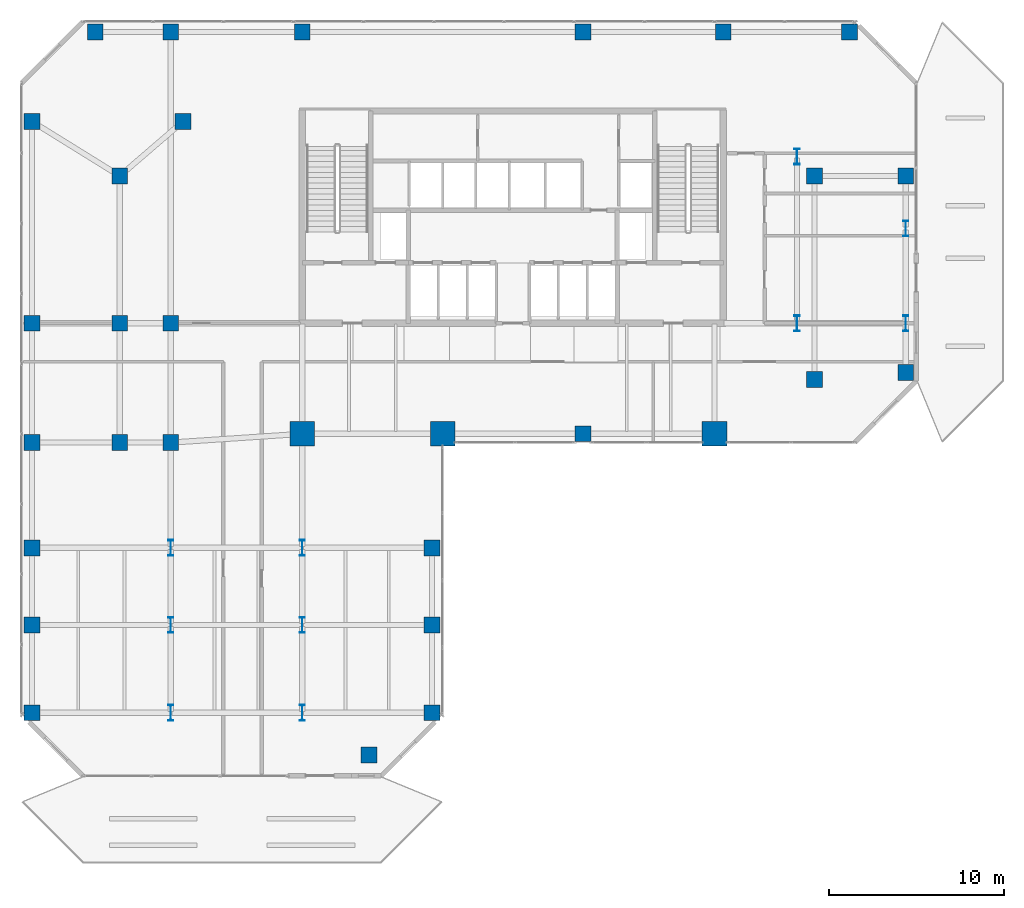
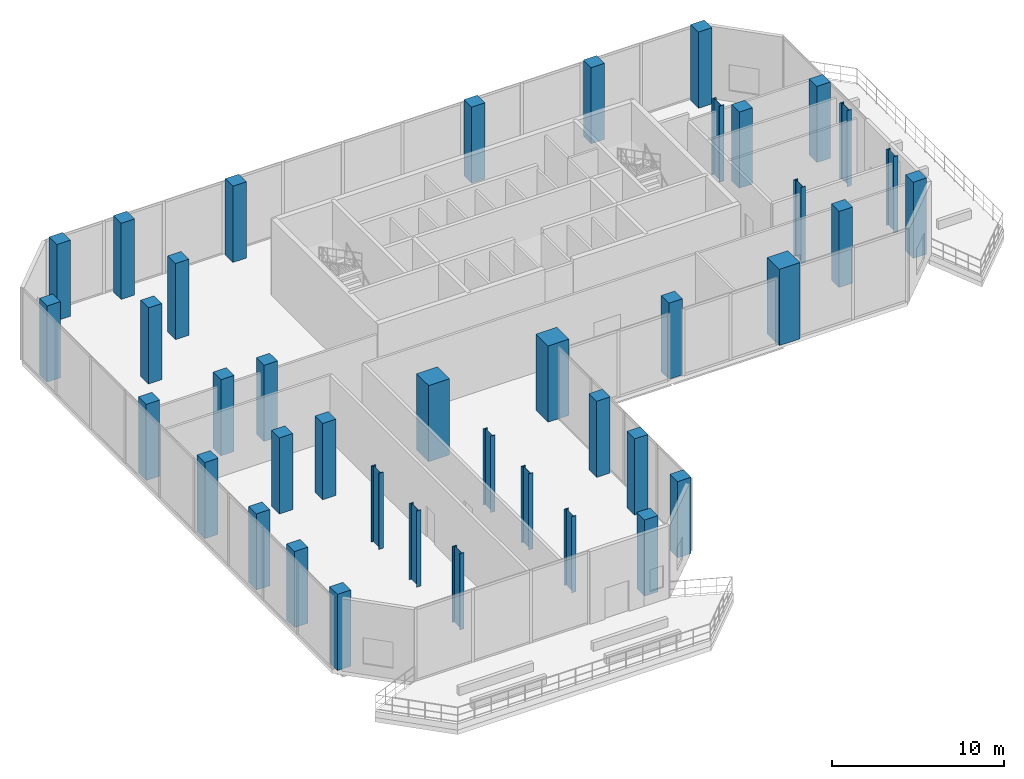
# One storey, part 1 of 24: 40 columns.
"""IFC4 building model written with IfcOpenShell, lengths in metres."""

import ifcopenshell
import ifcopenshell.guid

model = None  # the IFC model being written
_history = None  # IfcOwnerHistory: only IFC2X3 demands one
_inside = {}  # id of a spatial element -> (the spatial element, [elements in it])
_under = {}  # id of a project, library or spatial element -> (it, [spatial elements below it])
_declared = {}  # id of a project -> (the project, [libraries it declares])
_typed = {}  # id of a type object -> (the type object, [elements of that type])
_made_of = {}  # id of a material, layer set ... -> (it, [elements and type objects made of it])


def new_model(schema):
    """Start an empty IFC model of exactly this schema.

    Asked for "IFC4X3", IfcOpenShell would pick the latest addendum, in which some entities
    have other attributes; the version numbers below select the first issue.
    IFC2X3 requires an IfcOwnerHistory on every rooted entity: one is made here for all.
    """
    global model, _history
    if schema == "IFC4X3":
        model = ifcopenshell.file(schema_version=(4, 3, 0, 0))
    else:
        model = ifcopenshell.file(schema=schema)
    _inside.clear()
    _under.clear()
    _declared.clear()
    _typed.clear()
    _made_of.clear()
    _history = None
    if model.schema == "IFC2X3":
        org = make("IfcOrganization", Name="unknown")
        user = make(
            "IfcPersonAndOrganization",
            ThePerson=make("IfcPerson", FamilyName="unknown"),
            TheOrganization=org,
        )
        app = make(
            "IfcApplication",
            ApplicationDeveloper=org,
            Version="unknown",
            ApplicationFullName="unknown",
            ApplicationIdentifier="unknown",
        )
        _history = make(
            "IfcOwnerHistory",
            OwningUser=user,
            OwningApplication=app,
            ChangeAction="ADDED",
            CreationDate=0,
        )
    return model


def make(cls, **values):
    """One entity of the class cls with the attributes given. An attribute that is None is left unset."""
    return model.create_entity(
        cls, **{name: value for name, value in values.items() if value is not None}
    )


def rooted(cls, **values):
    """An entity with a GlobalId (a new one), such as an element, a storey or a relation."""
    return make(cls, GlobalId=ifcopenshell.guid.new(), OwnerHistory=_history, **values)


def si_unit(unit_type, name, prefix=None):
    """IfcSIUnit, for example si_unit("LENGTHUNIT", "METRE", prefix="MILLI")."""
    return make("IfcSIUnit", UnitType=unit_type, Prefix=prefix, Name=name)


def assignment(units):
    """IfcUnitAssignment: the units of a project."""
    return None if units is None else make("IfcUnitAssignment", Units=units)


def point(xyz):
    """IfcCartesianPoint."""
    return None if xyz is None else make("IfcCartesianPoint", Coordinates=xyz)


def direction(xyz):
    """IfcDirection."""
    return None if xyz is None else make("IfcDirection", DirectionRatios=xyz)


def frame(location, z_axis=None, x_axis=None):
    """IfcAxis2Placement3D, a coordinate frame: its origin and axes. An axis left out is left unset."""
    return make(
        "IfcAxis2Placement3D",
        Location=point(location),
        Axis=direction(z_axis),
        RefDirection=direction(x_axis),
    )


def frame_2d(location, x_axis=None):
    """IfcAxis2Placement2D, a coordinate frame in the plane: its origin and x axis."""
    return make(
        "IfcAxis2Placement2D", Location=point(location), RefDirection=direction(x_axis)
    )


def origin():
    """The frame at (0, 0, 0) with its axes left unset."""
    return frame((0.0, 0.0, 0.0))


def origin_2d():
    """The frame at (0, 0) in the plane with its x axis left unset."""
    return frame_2d((0.0, 0.0))


def place(relative_to, where):
    """IfcLocalPlacement: puts the frame where relative to a parent placement (None: the world)."""
    return make(
        "IfcLocalPlacement", PlacementRelTo=relative_to, RelativePlacement=where
    )


def context(
    kind, dimensions, precision=None, world=None, true_north=None, identifier=None
):
    """IfcGeometricRepresentationContext, for example the 3D "Model" context."""
    return make(
        "IfcGeometricRepresentationContext",
        ContextIdentifier=identifier,
        ContextType=kind,
        CoordinateSpaceDimension=dimensions,
        Precision=precision,
        WorldCoordinateSystem=world,
        TrueNorth=true_north,
    )


def subcontext(parent, identifier, kind, view, scale=None):
    """IfcGeometricRepresentationSubContext, for example "Body" below "Model"."""
    return make(
        "IfcGeometricRepresentationSubContext",
        ContextIdentifier=identifier,
        ContextType=kind,
        ParentContext=parent,
        TargetScale=scale,
        TargetView=view,
    )


def project(units=None, contexts=None):
    """IfcProject with its units and contexts."""
    return rooted(
        "IfcProject",
        Name="project",
        RepresentationContexts=contexts,
        UnitsInContext=assignment(units),
    )


def spatial(cls, under=None, at=None, **own):
    """A site, building, storey or space (cls), placed at a placement, below another one or the project."""
    s = rooted(cls, ObjectPlacement=at, **own)
    if under is not None:
        _under.setdefault(under.id(), (under, []))[1].append(s)
    return s


def profile(cls, at=None, kind="AREA", **sizes):
    """A parametric profile (cls). Its sizes go by their IFC names, for example OverallWidth=200.0."""
    return make(cls, ProfileType=kind, Position=at, **sizes)


def rectangle(**sizes):
    """IfcRectangleProfileDef."""
    return profile("IfcRectangleProfileDef", **sizes)


def i_section(**sizes):
    """IfcIShapeProfileDef."""
    return profile("IfcIShapeProfileDef", **sizes)


def extrude(swept, where, along, depth):
    """IfcExtrudedAreaSolid: the profile swept, set in the frame where, extruded along a direction by depth."""
    return make(
        "IfcExtrudedAreaSolid",
        SweptArea=swept,
        Position=where,
        ExtrudedDirection=direction(along),
        Depth=depth,
    )


def shape(context_of_items, identifier, shape_type, items):
    """IfcShapeRepresentation: the items that make up one representation, for example the "Body"."""
    return make(
        "IfcShapeRepresentation",
        ContextOfItems=context_of_items,
        RepresentationIdentifier=identifier,
        RepresentationType=shape_type,
        Items=items,
    )


def material(Name=None, Category=None):
    """IfcMaterial."""
    return make("IfcMaterial", Name=Name, Category=Category)


def material_profile(
    of_material, cross_section, Name=None, Category=None, Priority=None
):
    """IfcMaterialProfile: a cross section and its material."""
    return make(
        "IfcMaterialProfile",
        Name=Name,
        Material=of_material,
        Profile=cross_section,
        Priority=Priority,
        Category=Category,
    )


def profile_set(profiles, Name=None, composite=None):
    """IfcMaterialProfileSet."""
    return make(
        "IfcMaterialProfileSet",
        Name=Name,
        MaterialProfiles=profiles,
        CompositeProfile=composite,
    )


def made_of(thing, what):
    """Note that an element or type object is made of a material, layer set ...; save() writes the relation."""
    if what is not None:
        _made_of.setdefault(what.id(), (what, []))[1].append(thing)
    return thing


def type_object(cls, material=None, **own):
    """A type object (cls), such as IfcWallType, which elements share."""
    return made_of(rooted(cls, **own), material)


def element(
    cls,
    number,
    at=None,
    inside=None,
    cuts=None,
    type_object=None,
    material=None,
    context=None,
    identifier="Body",
    shape_type=None,
    held_by="IfcProductDefinitionShape",
    body=None,
    shapes=None,
    **own,
):
    """One element of the class cls, such as IfcWall. Its Tag is "e" and its number.

    at: its placement. inside: the storey or other place that contains it. cuts: it is an
    opening in that element (IfcRelVoidsElement). A single representation is given by context,
    identifier, shape_type and body (its items); several are given by shapes. held_by: the class
    of the entity that holds the representations. save() writes the other relations.
    """
    e = rooted(cls, Tag="e%d" % number, ObjectPlacement=at, **own)
    if body is not None:
        shapes = [shape(context, identifier, shape_type, body)]
    if shapes is not None:
        e.Representation = make(held_by, Representations=shapes)
    if inside is not None:
        _inside.setdefault(inside.id(), (inside, []))[1].append(e)
    if cuts is not None:
        rooted(
            "IfcRelVoidsElement", RelatingBuildingElement=cuts, RelatedOpeningElement=e
        )
    if type_object is not None:
        _typed.setdefault(type_object.id(), (type_object, []))[1].append(e)
    return made_of(e, material)


def aggregate(whole, parts):
    """IfcRelAggregates: a whole, such as a stair, and the parts it consists of."""
    return rooted("IfcRelAggregates", RelatingObject=whole, RelatedObjects=parts)


def save(model, path):
    """Write the relations noted so far, then the file.

    IfcRelAggregates (storeys below a building ...), IfcRelContainedInSpatialStructure (elements
    in a storey), IfcRelDefinesByType, IfcRelAssociatesMaterial and IfcRelDeclares: one each for
    every whole, place, type object, material and project.
    """
    for whole, parts in _under.values():
        aggregate(whole, parts)
    for where, things in _inside.values():
        rooted(
            "IfcRelContainedInSpatialStructure",
            RelatedElements=things,
            RelatingStructure=where,
        )
    for kind, things in _typed.values():
        rooted("IfcRelDefinesByType", RelatedObjects=things, RelatingType=kind)
    for what, things in _made_of.values():
        rooted("IfcRelAssociatesMaterial", RelatedObjects=things, RelatingMaterial=what)
    for by, libraries in _declared.values():
        rooted("IfcRelDeclares", RelatingContext=by, RelatedDefinitions=libraries)
    model.write(path)


model = new_model("IFC4")

# Units and contexts
model_context = context("Model", 3, precision=1e-05, world=origin(), true_north=direction((0.0, 1.0)))
body_context = subcontext(model_context, "Body", "Model", "MODEL_VIEW")
ifc_project = project(units=[si_unit("LENGTHUNIT", "METRE"), si_unit("AREAUNIT", "SQUARE_METRE"), si_unit("VOLUMEUNIT", "CUBIC_METRE"), si_unit("PLANEANGLEUNIT", "RADIAN"), si_unit("MASSUNIT", "GRAM", prefix="KILO")], contexts=[model_context])

# Site, building, storey
site_placement = place(None, origin())
site = spatial("IfcSite", under=ifc_project, at=site_placement, CompositionType="ELEMENT")
building_placement = place(site_placement, origin())
building = spatial("IfcBuilding", under=site, at=building_placement, Name="Catumbela Crestline Tower", CompositionType="ELEMENT")
storey_placement = place(building_placement, frame((0.0, 0.0, 84.6)))
storey = spatial("IfcBuildingStorey", under=building, at=storey_placement, Name="L21", CompositionType="ELEMENT", Elevation=84.6)

# Columns
ifc_material_1 = material(Name="Concrete C60/75", Category="concrete")
ifc_material_profile_1 = material_profile(ifc_material_1, rectangle(XDim=1.4, YDim=1.4, at=origin_2d()), Name="RC 1400x1400")
ifc_profile_set_1 = profile_set([ifc_material_profile_1], Name="Concrete C60/75")
column_type_1 = type_object("IfcColumnType", Name="C-RC1400-C60", PredefinedType="COLUMN", material=ifc_profile_set_1)
for number, where, z_axis, x_axis, name in (
    (1, (16.0, 24.5, 0.0), (0.0, 0.0, 1.0), (1.0, 0.0, 0.0), "L21 Column C-16-24 (RC 1400x1400)"),
    (2, (24.0, 24.5, 0.0), (0.0, 0.0, 1.0), (1.0, 0.0, 0.0), "L21 Column C-24-24 (RC 1400x1400)"),
    (3, (39.5, 24.5, 0.0), (0.0, 0.0, 1.0), (1.0, 0.0, 0.0), "L21 Column C-40-24 (RC 1400x1400)"),
):
    element("IfcColumn", number, at=place(storey_placement, frame(where, z_axis=z_axis, x_axis=x_axis)), inside=storey, type_object=column_type_1, Name=name, PredefinedType="COLUMN", context=body_context, shape_type="SweptSolid", body=[
        extrude(rectangle(XDim=1.4, YDim=1.4, at=origin_2d()), origin(), (0.0, 0.0, 1.0), 5.4),
    ])
ifc_material_2 = material(Name="Concrete C50/60", Category="concrete")
ifc_material_profile_2 = material_profile(ifc_material_2, rectangle(XDim=0.9, YDim=0.9, at=origin_2d()), Name="RC 900x900")
ifc_profile_set_2 = profile_set([ifc_material_profile_2], Name="Concrete C50/60")
column_type_2 = type_object("IfcColumnType", Name="C-RC900-C50", PredefinedType="COLUMN", material=ifc_profile_set_2)
for number, where, z_axis, x_axis, name in (
    (4, (8.5, 24.0, 0.0), (0.0, 0.0, 1.0), (1.0, 0.0, 0.0), "L21 Column C-08-24 (RC 900x900)"),
    (5, (32.0, 24.5, 0.0), (0.0, 0.0, 1.0), (1.0, 0.0, 0.0), "L21 Column C-32-24 (RC 900x900)"),
    (6, (5.6, 24.0, 0.0), (0.0, 0.0, 1.0), (1.0, 0.0, 0.0), "L21 Column C-05-24 (RC 900x900)"),
    (7, (5.6, 30.8, 0.0), (0.0, 0.0, 1.0), (1.0, 0.0, 0.0), "L21 Column C-05-31 (RC 900x900)"),
    (8, (5.6, 39.2, 0.0), (0.0, 0.0, 1.0), (1.0, 0.0, 0.0), "L21 Column C-05-43 (RC 900x900)"),
    (9, (8.5, 30.8, 0.0), (0.0, 0.0, 1.0), (1.0, 0.0, 0.0), "L21 Column C-08-31 (RC 900x900)"),
    (10, (9.2, 42.3, 0.0), (0.0, 0.0, 1.0), (1.0, 0.0, 0.0), "L21 Column C-08-43 (RC 900x900)"),
    (11, (45.2, 27.6, 0.0), (0.0, 0.0, 1.0), (1.0, 0.0, 0.0), "L21 Column C-46-24 (RC 900x900)"),
    (12, (45.2, 39.2, 0.0), (0.0, 0.0, 1.0), (1.0, 0.0, 0.0), "L21 Column C-46-43 (RC 900x900)"),
    (13, (0.6, 24.0, 0.0), (0.0, 0.0, 1.0), (1.0, 0.0, 0.0), "L21 Column C-00-24 (RC 900x900)"),
    (14, (0.6, 30.8, 0.0), (0.0, 0.0, 1.0), (1.0, 0.0, 0.0), "L21 Column C-00-31 (RC 900x900)"),
    (15, (0.6, 42.3, 0.0), (0.0, 0.0, 1.0), (1.0, 0.0, 0.0), "L21 Column C-00-43 (RC 900x900)"),
    (16, (4.2, 47.4, 0.0), (0.0, 0.0, 1.0), (1.0, 0.0, 0.0), "L21 Column C-00-48 (RC 900x900)"),
    (17, (8.5, 47.4, 0.0), (0.0, 0.0, 1.0), (1.0, 0.0, 0.0), "L21 Column C-08-48 (RC 900x900)"),
    (18, (16.0, 47.4, 0.0), (0.0, 0.0, 1.0), (1.0, 0.0, 0.0), "L21 Column C-16-48 (RC 900x900)"),
    (19, (32.0, 47.4, 0.0), (0.0, 0.0, 1.0), (1.0, 0.0, 0.0), "L21 Column C-32-48 (RC 900x900)"),
    (20, (40.0, 47.4, 0.0), (0.0, 0.0, 1.0), (1.0, 0.0, 0.0), "L21 Column C-40-48 (RC 900x900)"),
    (21, (47.2, 47.4, 0.0), (0.0, 0.0, 1.0), (1.0, 0.0, 0.0), "L21 Column C-48-48 (RC 900x900)"),
    (22, (50.4, 28.0, 0.0), (0.0, 0.0, 1.0), (1.0, 0.0, 0.0), "L21 Column C-51-24 (RC 900x900)"),
    (23, (50.4, 39.2, 0.0), (0.0, 0.0, 1.0), (1.0, 0.0, 0.0), "L21 Column C-51-43 (RC 900x900)"),
    (24, (0.6, 8.6, 0.0), (0.0, 0.0, 1.0), (1.0, 0.0, 0.0), "L21 Column C-00-05 (RC 900x900)"),
    (25, (0.6, 13.6, 0.0), (0.0, 0.0, 1.0), (1.0, 0.0, 0.0), "L21 Column C-00-10 (RC 900x900)"),
    (26, (0.6, 18.0, 0.0), (0.0, 0.0, 1.0), (1.0, 0.0, 0.0), "L21 Column C-00-16 (RC 900x900)"),
    (27, (19.8, 6.2, 0.0), (0.0, 0.0, 1.0), (1.0, 0.0, 0.0), "L21 Column C-24-05 (RC 900x900)"),
    (28, (23.4, 8.6, 0.0), (0.0, 0.0, 1.0), (1.0, 0.0, 0.0), "L21 Column C-23-08 (RC 900x900)"),
    (29, (23.4, 13.6, 0.0), (0.0, 0.0, 1.0), (1.0, 0.0, 0.0), "L21 Column C-24-10 (RC 900x900)"),
    (30, (23.4, 18.0, 0.0), (0.0, 0.0, 1.0), (1.0, 0.0, 0.0), "L21 Column C-24-16 (RC 900x900)"),
):
    element("IfcColumn", number, at=place(storey_placement, frame(where, z_axis=z_axis, x_axis=x_axis)), inside=storey, type_object=column_type_2, Name=name, PredefinedType="COLUMN", context=body_context, shape_type="SweptSolid", body=[
        extrude(rectangle(XDim=0.9, YDim=0.9, at=origin_2d()), origin(), (0.0, 0.0, 1.0), 5.4),
    ])
ifc_material_3 = material(Name="Structural steel S460M", Category="steel")
ifc_material_profile_3 = material_profile(ifc_material_3, i_section(OverallWidth=0.3, OverallDepth=0.9, WebThickness=0.0185, FlangeThickness=0.035, FilletRadius=0.03, at=origin_2d()), Name="HEB 900")
ifc_profile_set_3 = profile_set([ifc_material_profile_3], Name="Structural steel S460M")
column_type_3 = type_object("IfcColumnType", Name="C-ST-HEB900", PredefinedType="COLUMN", material=ifc_profile_set_3)
for number, where, z_axis, x_axis, name in (
    (31, (8.5, 8.6, 0.0), (0.0, 0.0, 1.0), (1.0, 0.0, 0.0), "L21 Column CT-05-05 (HEB 900)"),
    (32, (16.0, 8.6, 0.0), (0.0, 0.0, 1.0), (1.0, 0.0, 0.0), "L21 Column CT-14-05 (HEB 900)"),
    (33, (8.5, 13.6, 0.0), (0.0, 0.0, 1.0), (1.0, 0.0, 0.0), "L21 Column CT-05-10 (HEB 900)"),
    (34, (16.0, 13.6, 0.0), (0.0, 0.0, 1.0), (1.0, 0.0, 0.0), "L21 Column CT-14-10 (HEB 900)"),
    (35, (8.5, 18.0, 0.0), (0.0, 0.0, 1.0), (1.0, 0.0, 0.0), "L21 Column CT-05-16 (HEB 900)"),
    (36, (16.0, 18.0, 0.0), (0.0, 0.0, 1.0), (1.0, 0.0, 0.0), "L21 Column CT-14-16 (HEB 900)"),
    (37, (44.2, 30.8, 0.0), (0.0, 0.0, 1.0), (1.0, 0.0, 0.0), "L21 Column CT-46-31 (HEB 900)"),
    (38, (44.2, 40.3, 0.0), (0.0, 0.0, 1.0), (1.0, 0.0, 0.0), "L21 Column CT-46-37 (HEB 900)"),
    (39, (50.4, 30.8, 0.0), (0.0, 0.0, 1.0), (1.0, 0.0, 0.0), "L21 Column CT-51-31 (HEB 900)"),
    (40, (50.4, 36.2, 0.0), (0.0, 0.0, 1.0), (1.0, 0.0, 0.0), "L21 Column CT-51-37 (HEB 900)"),
):
    element("IfcColumn", number, at=place(storey_placement, frame(where, z_axis=z_axis, x_axis=x_axis)), inside=storey, type_object=column_type_3, Name=name, PredefinedType="COLUMN", context=body_context, shape_type="SweptSolid", body=[
        extrude(i_section(OverallWidth=0.3, OverallDepth=0.9, WebThickness=0.0185, FlangeThickness=0.035, FilletRadius=0.03, at=origin_2d()), origin(), (0.0, 0.0, 1.0), 5.4),
    ])

save(model, "model.ifc")
